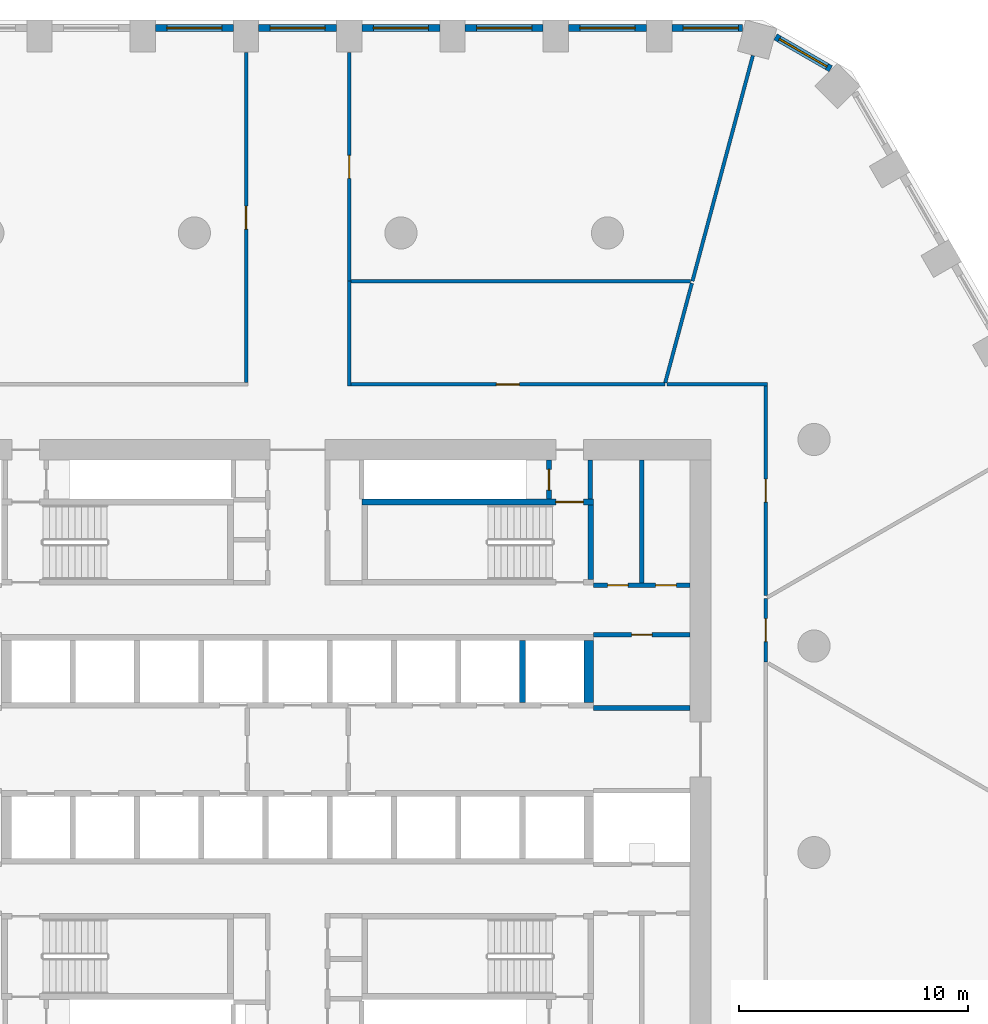
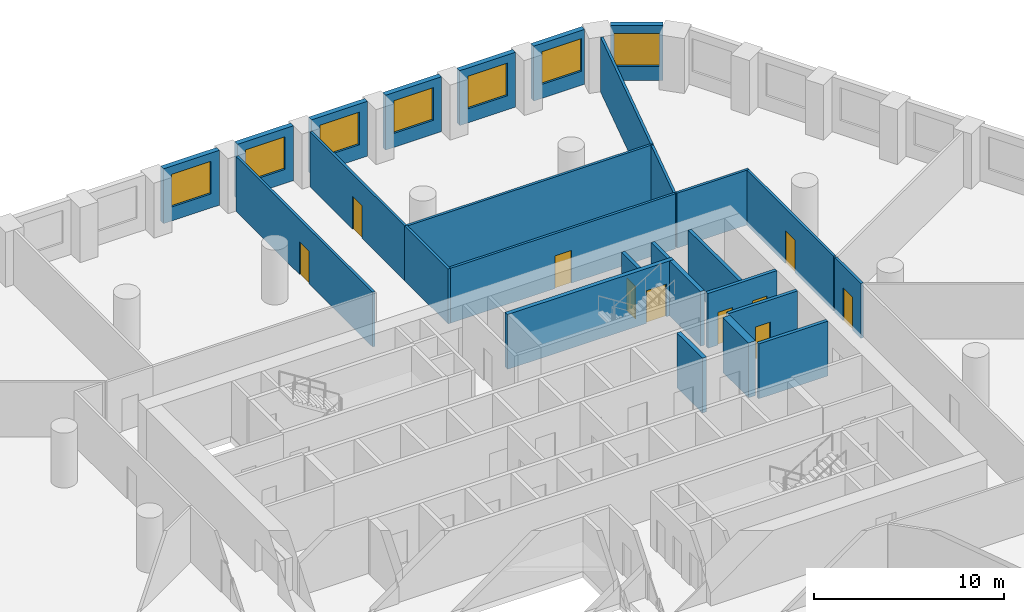
# One storey, part 7 of 10: 27 walls, 10 doors, 7 windows, 17 openings.
"""IFC4 building model written with IfcOpenShell, lengths in metres."""

from ifc_helpers import new_model, si_unit, direction, frame, frame_2d, origin, place, context, subcontext, project, spatial, polyline, rectangle, outline, extrude, material, layer, layer_set, type_object, element, fill, save


model = new_model("IFC4")

# Units and contexts
model_context = context("Model", 3, precision=1e-05, world=origin(), true_north=direction((0.0, 1.0)))
body_context = subcontext(model_context, "Body", "Model", "MODEL_VIEW")
ifc_project = project(units=[si_unit("LENGTHUNIT", "METRE"), si_unit("AREAUNIT", "SQUARE_METRE"), si_unit("VOLUMEUNIT", "CUBIC_METRE"), si_unit("PLANEANGLEUNIT", "RADIAN"), si_unit("MASSUNIT", "GRAM", prefix="KILO")], contexts=[model_context])

# Site, building, storey
site_placement = place(None, origin())
site = spatial("IfcSite", under=ifc_project, at=site_placement, CompositionType="ELEMENT")
building_placement = place(site_placement, origin())
building = spatial("IfcBuilding", under=site, at=building_placement, Name="Dhurran Vertical Campus", CompositionType="ELEMENT")
storey_placement = place(building_placement, frame((0.0, 0.0, 45.60009765625)))
storey = spatial("IfcBuildingStorey", under=building, at=storey_placement, Name="L10", CompositionType="ELEMENT", Elevation=45.60009765625)

# Wall, opening, window
ifc_material_1 = material(Name="Precast concrete C50/60", Category="concrete")
ifc_layer_1 = layer(ifc_material_1, 0.300048828125)
ifc_layer_set_1 = layer_set([ifc_layer_1], Name="Precast concrete C50/60")
wall_type_1 = type_object("IfcWallType", Name="Precast spandrel wall 300", PredefinedType="SOLIDWALL", material=ifc_layer_set_1)
wall_1_placement = place(storey_placement, frame((23.228271484375, 29.656005859375, 0.0), z_axis=(0.0, 0.0, 1.0), x_axis=(-0.866020456713, 0.500008568482, 0.0)))
wall_1 = element("IfcWall", 1, at=wall_1_placement, inside=storey, type_object=wall_type_1, Name="EW1 L10.25", PredefinedType="SOLIDWALL", context=body_context, shape_type="SweptSolid", body=[
    extrude(rectangle(XDim=2.7822265625, YDim=0.300048828125, at=frame_2d((1.39111328125, 0.0))), origin(), (0.0, 0.0, 1.0), 3.52490234375),
])
opening_1_placement = place(wall_1_placement, frame((0.191162109375, 0.0, 0.89990234375)))
opening_1 = element("IfcOpeningElement", 2, at=opening_1_placement, cuts=wall_1, Name="Opening WT1", PredefinedType="OPENING", context=body_context, shape_type="SweptSolid", body=[
    extrude(rectangle(XDim=2.39990234375, YDim=2.10009765625, at=frame_2d((1.199951171875, 1.050048828125))), frame((0.0, 0.159912109375, 0.0), z_axis=(0.0, -1.0, 0.0), x_axis=(1.0, 0.0, 0.0)), (0.0, 0.0, 1.0), 0.320068359375),
])
ifc_material_2 = material(Name="Aluminium frame with solar-control glass", Category="aluminium")
window_type = type_object("IfcWindowType", Name="Punched window 2400 x 2100", PartitioningType="SINGLE_PANEL", PredefinedType="WINDOW", material=ifc_material_2)
window_1_placement = place(opening_1_placement, origin())
window_1 = element("IfcWindow", 3, at=window_1_placement, inside=storey, type_object=window_type, Name="WT1 L10.25", OverallHeight=2.10009765625, OverallWidth=2.39990234375, PartitioningType="SINGLE_PANEL", PredefinedType="WINDOW", context=body_context, shape_type="SweptSolid", body=[
    extrude(rectangle(XDim=2.39990234375, YDim=2.10009765625, at=frame_2d((1.199951171875, 1.050048828125))), frame((0.0, 0.030029296875, 0.0), z_axis=(0.0, -1.0, 0.0), x_axis=(1.0, 0.0, 0.0)), (0.0, 0.0, 1.0), 0.06005859375),
])
fill(opening_1, window_1)

wall_2_placement = place(storey_placement, frame((19.39111328125, 31.4296875, 0.0), z_axis=(0.0, 0.0, 1.0), x_axis=(-1.0, 0.0, 0.0)))
wall_2 = element("IfcWall", 4, at=wall_2_placement, inside=storey, type_object=wall_type_1, Name="EW1 L10.26", PredefinedType="SOLIDWALL", context=body_context, shape_type="SweptSolid", body=[
    extrude(rectangle(XDim=3.090576171875, YDim=0.300048828125, at=frame_2d((1.54541015625, 0.0))), origin(), (0.0, 0.0, 1.0), 3.52490234375),
])
opening_2_placement = place(wall_2_placement, frame((0.191162109375, 0.0, 0.89990234375)))
opening_2 = element("IfcOpeningElement", 5, at=opening_2_placement, cuts=wall_2, Name="Opening WT1", PredefinedType="OPENING", context=body_context, shape_type="SweptSolid", body=[
    extrude(rectangle(XDim=2.39990234375, YDim=2.10009765625, at=frame_2d((1.199951171875, 1.050048828125))), frame((0.0, 0.159912109375, 0.0), z_axis=(0.0, -1.0, 0.0), x_axis=(1.0, 0.0, 0.0)), (0.0, 0.0, 1.0), 0.320068359375),
])
window_2_placement = place(opening_2_placement, origin())
window_2 = element("IfcWindow", 6, at=window_2_placement, inside=storey, type_object=window_type, Name="WT1 L10.26", OverallHeight=2.10009765625, OverallWidth=2.39990234375, PartitioningType="SINGLE_PANEL", PredefinedType="WINDOW", context=body_context, shape_type="SweptSolid", body=[
    extrude(rectangle(XDim=2.39990234375, YDim=2.10009765625, at=frame_2d((1.199951171875, 1.050048828125))), frame((0.0, 0.030029296875, 0.0), z_axis=(0.0, -1.0, 0.0), x_axis=(1.0, 0.0, 0.0)), (0.0, 0.0, 1.0), 0.06005859375),
])
fill(opening_2, window_2)

wall_3_placement = place(storey_placement, frame((15.199462890625, 31.4296875, 0.0), z_axis=(0.0, 0.0, 1.0), x_axis=(-1.0, 0.0, 0.0)))
wall_3 = element("IfcWall", 7, at=wall_3_placement, inside=storey, type_object=wall_type_1, Name="EW1 L10.27", PredefinedType="SOLIDWALL", context=body_context, shape_type="SweptSolid", body=[
    extrude(rectangle(XDim=3.39892578125, YDim=0.300048828125, at=frame_2d((1.699462890625, 0.0))), origin(), (0.0, 0.0, 1.0), 3.52490234375),
])
opening_3_placement = place(wall_3_placement, frame((0.49951171875, 0.0, 0.89990234375)))
opening_3 = element("IfcOpeningElement", 8, at=opening_3_placement, cuts=wall_3, Name="Opening WT1", PredefinedType="OPENING", context=body_context, shape_type="SweptSolid", body=[
    extrude(rectangle(XDim=2.39990234375, YDim=2.10009765625, at=frame_2d((1.199951171875, 1.050048828125))), frame((0.0, 0.159912109375, 0.0), z_axis=(0.0, -1.0, 0.0), x_axis=(1.0, 0.0, 0.0)), (0.0, 0.0, 1.0), 0.320068359375),
])
window_3_placement = place(opening_3_placement, origin())
window_3 = element("IfcWindow", 9, at=window_3_placement, inside=storey, type_object=window_type, Name="WT1 L10.27", OverallHeight=2.10009765625, OverallWidth=2.39990234375, PartitioningType="SINGLE_PANEL", PredefinedType="WINDOW", context=body_context, shape_type="SweptSolid", body=[
    extrude(rectangle(XDim=2.39990234375, YDim=2.10009765625, at=frame_2d((1.199951171875, 1.050048828125))), frame((0.0, 0.030029296875, 0.0), z_axis=(0.0, -1.0, 0.0), x_axis=(1.0, 0.0, 0.0)), (0.0, 0.0, 1.0), 0.06005859375),
])
fill(opening_3, window_3)

wall_4_placement = place(storey_placement, frame((10.699462890625, 31.4296875, 0.0), z_axis=(0.0, 0.0, 1.0), x_axis=(-1.0, 0.0, 0.0)))
wall_4 = element("IfcWall", 10, at=wall_4_placement, inside=storey, type_object=wall_type_1, Name="EW1 L10.28", PredefinedType="SOLIDWALL", context=body_context, shape_type="SweptSolid", body=[
    extrude(rectangle(XDim=3.39892578125, YDim=0.300048828125, at=frame_2d((1.699462890625, 0.0))), origin(), (0.0, 0.0, 1.0), 3.52490234375),
])
opening_4_placement = place(wall_4_placement, frame((0.49951171875, 0.0, 0.89990234375)))
opening_4 = element("IfcOpeningElement", 11, at=opening_4_placement, cuts=wall_4, Name="Opening WT1", PredefinedType="OPENING", context=body_context, shape_type="SweptSolid", body=[
    extrude(rectangle(XDim=2.39990234375, YDim=2.10009765625, at=frame_2d((1.199951171875, 1.050048828125))), frame((0.0, 0.159912109375, 0.0), z_axis=(0.0, -1.0, 0.0), x_axis=(1.0, 0.0, 0.0)), (0.0, 0.0, 1.0), 0.320068359375),
])
window_4_placement = place(opening_4_placement, origin())
window_4 = element("IfcWindow", 12, at=window_4_placement, inside=storey, type_object=window_type, Name="WT1 L10.28", OverallHeight=2.10009765625, OverallWidth=2.39990234375, PartitioningType="SINGLE_PANEL", PredefinedType="WINDOW", context=body_context, shape_type="SweptSolid", body=[
    extrude(rectangle(XDim=2.39990234375, YDim=2.10009765625, at=frame_2d((1.199951171875, 1.050048828125))), frame((0.0, 0.030029296875, 0.0), z_axis=(0.0, -1.0, 0.0), x_axis=(1.0, 0.0, 0.0)), (0.0, 0.0, 1.0), 0.06005859375),
])
fill(opening_4, window_4)

wall_5_placement = place(storey_placement, frame((6.199462890625, 31.4296875, 0.0), z_axis=(0.0, 0.0, 1.0), x_axis=(-1.0, 0.0, 0.0)))
wall_5 = element("IfcWall", 13, at=wall_5_placement, inside=storey, type_object=wall_type_1, Name="EW1 L10.29", PredefinedType="SOLIDWALL", context=body_context, shape_type="SweptSolid", body=[
    extrude(rectangle(XDim=3.39892578125, YDim=0.300048828125, at=frame_2d((1.699462890625, 0.0))), origin(), (0.0, 0.0, 1.0), 3.52490234375),
])
opening_5_placement = place(wall_5_placement, frame((0.49951171875, 0.0, 0.89990234375)))
opening_5 = element("IfcOpeningElement", 14, at=opening_5_placement, cuts=wall_5, Name="Opening WT1", PredefinedType="OPENING", context=body_context, shape_type="SweptSolid", body=[
    extrude(rectangle(XDim=2.39990234375, YDim=2.10009765625, at=frame_2d((1.199951171875, 1.050048828125))), frame((0.0, 0.159912109375, 0.0), z_axis=(0.0, -1.0, 0.0), x_axis=(1.0, 0.0, 0.0)), (0.0, 0.0, 1.0), 0.320068359375),
])
window_5_placement = place(opening_5_placement, origin())
window_5 = element("IfcWindow", 15, at=window_5_placement, inside=storey, type_object=window_type, Name="WT1 L10.29", OverallHeight=2.10009765625, OverallWidth=2.39990234375, PartitioningType="SINGLE_PANEL", PredefinedType="WINDOW", context=body_context, shape_type="SweptSolid", body=[
    extrude(rectangle(XDim=2.39990234375, YDim=2.10009765625, at=frame_2d((1.199951171875, 1.050048828125))), frame((0.0, 0.030029296875, 0.0), z_axis=(0.0, -1.0, 0.0), x_axis=(1.0, 0.0, 0.0)), (0.0, 0.0, 1.0), 0.06005859375),
])
fill(opening_5, window_5)

wall_6_placement = place(storey_placement, frame((1.699462890625, 31.4296875, 0.0), z_axis=(0.0, 0.0, 1.0), x_axis=(-1.0, 0.0, 0.0)))
wall_6 = element("IfcWall", 16, at=wall_6_placement, inside=storey, type_object=wall_type_1, Name="EW1 L10.30", PredefinedType="SOLIDWALL", context=body_context, shape_type="SweptSolid", body=[
    extrude(rectangle(XDim=3.39892578125, YDim=0.300048828125, at=frame_2d((1.699462890625, 0.0))), origin(), (0.0, 0.0, 1.0), 3.52490234375),
])
opening_6_placement = place(wall_6_placement, frame((0.49951171875, 0.0, 0.89990234375)))
opening_6 = element("IfcOpeningElement", 17, at=opening_6_placement, cuts=wall_6, Name="Opening WT1", PredefinedType="OPENING", context=body_context, shape_type="SweptSolid", body=[
    extrude(rectangle(XDim=2.39990234375, YDim=2.10009765625, at=frame_2d((1.199951171875, 1.050048828125))), frame((0.0, 0.159912109375, 0.0), z_axis=(0.0, -1.0, 0.0), x_axis=(1.0, 0.0, 0.0)), (0.0, 0.0, 1.0), 0.320068359375),
])
window_6_placement = place(opening_6_placement, origin())
window_6 = element("IfcWindow", 18, at=window_6_placement, inside=storey, type_object=window_type, Name="WT1 L10.30", OverallHeight=2.10009765625, OverallWidth=2.39990234375, PartitioningType="SINGLE_PANEL", PredefinedType="WINDOW", context=body_context, shape_type="SweptSolid", body=[
    extrude(rectangle(XDim=2.39990234375, YDim=2.10009765625, at=frame_2d((1.199951171875, 1.050048828125))), frame((0.0, 0.030029296875, 0.0), z_axis=(0.0, -1.0, 0.0), x_axis=(1.0, 0.0, 0.0)), (0.0, 0.0, 1.0), 0.06005859375),
])
fill(opening_6, window_6)

wall_7_placement = place(storey_placement, frame((-2.800537109375, 31.4296875, 0.0), z_axis=(0.0, 0.0, 1.0), x_axis=(-1.0, 0.0, 0.0)))
wall_7 = element("IfcWall", 19, at=wall_7_placement, inside=storey, type_object=wall_type_1, Name="EW1 L10.31", PredefinedType="SOLIDWALL", context=body_context, shape_type="SweptSolid", body=[
    extrude(rectangle(XDim=3.39892578125, YDim=0.300048828125, at=frame_2d((1.699462890625, 0.0))), origin(), (0.0, 0.0, 1.0), 3.52490234375),
])
opening_7_placement = place(wall_7_placement, frame((0.49951171875, 0.0, 0.89990234375)))
opening_7 = element("IfcOpeningElement", 20, at=opening_7_placement, cuts=wall_7, Name="Opening WT1", PredefinedType="OPENING", context=body_context, shape_type="SweptSolid", body=[
    extrude(rectangle(XDim=2.39990234375, YDim=2.10009765625, at=frame_2d((1.199951171875, 1.050048828125))), frame((0.0, 0.159912109375, 0.0), z_axis=(0.0, -1.0, 0.0), x_axis=(1.0, 0.0, 0.0)), (0.0, 0.0, 1.0), 0.320068359375),
])
window_7_placement = place(opening_7_placement, origin())
window_7 = element("IfcWindow", 21, at=window_7_placement, inside=storey, type_object=window_type, Name="WT1 L10.31", OverallHeight=2.10009765625, OverallWidth=2.39990234375, PartitioningType="SINGLE_PANEL", PredefinedType="WINDOW", context=body_context, shape_type="SweptSolid", body=[
    extrude(rectangle(XDim=2.39990234375, YDim=2.10009765625, at=frame_2d((1.199951171875, 1.050048828125))), frame((0.0, 0.030029296875, 0.0), z_axis=(0.0, -1.0, 0.0), x_axis=(1.0, 0.0, 0.0)), (0.0, 0.0, 1.0), 0.06005859375),
])
fill(opening_7, window_7)

# Wall
ifc_material_3 = material(Name="Fire-rated masonry blockwork", Category="masonry")
ifc_layer_2 = layer(ifc_material_3, 0.199951171875)
ifc_layer_set_2 = layer_set([ifc_layer_2], Name="Fire-rated masonry blockwork")
wall_type_2 = type_object("IfcWallType", Name="co-FIRE-PARTITION-200", PredefinedType="PARTITIONING", material=ifc_layer_set_2)
wall_8_placement = place(storey_placement, frame((12.75, 10.89990234375, 0.0), z_axis=(0.0, 0.0, 1.0), x_axis=(0.0, 1.0, 0.0)))
element("IfcWall", 22, at=wall_8_placement, inside=storey, type_object=wall_type_2, Name="Core partition pass-ST2-o L10", PredefinedType="PARTITIONING", context=body_context, shape_type="SweptSolid", body=[
    extrude(rectangle(XDim=1.7001953125, YDim=0.199951171875, at=frame_2d((0.85009765625, 0.0))), origin(), (0.0, 0.0, 1.0), 3.52490234375),
])

# Wall, opening, door
wall_9_placement = place(storey_placement, frame((10.949951171875, 10.89990234375, 0.0), z_axis=(0.0, 0.0, 1.0), x_axis=(0.0, 1.0, 0.0)))
wall_9 = element("IfcWall", 23, at=wall_9_placement, inside=storey, type_object=wall_type_2, Name="Core partition pass-ST2-i L10", PredefinedType="PARTITIONING", context=body_context, shape_type="SweptSolid", body=[
    extrude(rectangle(XDim=1.7001953125, YDim=0.199951171875, at=frame_2d((0.85009765625, 0.0))), origin(), (0.0, 0.0, 1.0), 3.52490234375),
])
opening_8_placement = place(wall_9_placement, frame((0.39990234375, 0.0, 0.0)))
opening_8 = element("IfcOpeningElement", 24, at=opening_8_placement, cuts=wall_9, Name="Opening T02-C11", PredefinedType="OPENING", context=body_context, shape_type="SweptSolid", body=[
    extrude(rectangle(XDim=0.89990234375, YDim=2.10009765625, at=frame_2d((0.449951171875, 1.050048828125))), frame((0.0, 0.10986328125, 0.0), z_axis=(0.0, -1.0, 0.0), x_axis=(1.0, 0.0, 0.0)), (0.0, 0.0, 1.0), 0.219970703125),
])
ifc_material_4 = material(Name="Fire-rated timber door set", Category="wood")
door_type_1 = type_object("IfcDoorType", Name="co-D-ROOM 900x2100", OperationType="SINGLE_SWING_LEFT", PredefinedType="DOOR", material=ifc_material_4)
door_1_placement = place(opening_8_placement, origin())
door_1 = element("IfcDoor", 25, at=door_1_placement, inside=storey, type_object=door_type_1, Name="Riser room door L10", OperationType="SINGLE_SWING_LEFT", OverallHeight=2.10009765625, OverallWidth=0.89990234375, PredefinedType="DOOR", context=body_context, shape_type="SweptSolid", body=[
    extrude(rectangle(XDim=0.89990234375, YDim=2.10009765625, at=frame_2d((0.449951171875, 1.050048828125))), frame((0.0, 0.02490234375, 0.0), z_axis=(0.0, -1.0, 0.0), x_axis=(1.0, 0.0, 0.0)), (0.0, 0.0, 1.0), 0.050048828125),
])
fill(opening_8, door_1)

# Wall
wall_10_placement = place(storey_placement, frame((15.0, 7.14990234375, 0.0), z_axis=(0.0, 0.0, 1.0), x_axis=(0.0, 1.0, 0.0)))
element("IfcWall", 26, at=wall_10_placement, inside=storey, type_object=wall_type_2, Name="Core partition en-NE-cut0 L10", PredefinedType="PARTITIONING", context=body_context, shape_type="SweptSolid", body=[
    extrude(rectangle(XDim=5.4501953125, YDim=0.199951171875, at=frame_2d((2.72509765625, 0.0))), origin(), (0.0, 0.0, 1.0), 3.52490234375),
])

# Wall, openings, doors
wall_11_placement = place(storey_placement, frame((12.89990234375, 7.14990234375, 0.0), z_axis=(0.0, 0.0, 1.0), x_axis=(1.0, 0.0, 0.0)))
wall_11 = element("IfcWall", 27, at=wall_11_placement, inside=storey, type_object=wall_type_2, Name="Core partition en-NE-w L10", PredefinedType="PARTITIONING", context=body_context, shape_type="SweptSolid", body=[
    extrude(rectangle(XDim=4.2001953125, YDim=0.199951171875, at=frame_2d((2.10009765625, 0.0))), origin(), (0.0, 0.0, 1.0), 3.52490234375),
])
opening_9_placement = place(wall_11_placement, frame((0.60009765625, 0.0, 0.0)))
opening_9 = element("IfcOpeningElement", 28, at=opening_9_placement, cuts=wall_11, Name="Opening T02-C16", PredefinedType="OPENING", context=body_context, shape_type="SweptSolid", body=[
    extrude(rectangle(XDim=0.89990234375, YDim=2.10009765625, at=frame_2d((0.449951171875, 1.050048828125))), frame((0.0, 0.10986328125, 0.0), z_axis=(0.0, -1.0, 0.0), x_axis=(1.0, 0.0, 0.0)), (0.0, 0.0, 1.0), 0.219970703125),
])
opening_10_placement = place(wall_11_placement, frame((2.699951171875, 0.0, 0.0)))
opening_10 = element("IfcOpeningElement", 29, at=opening_10_placement, cuts=wall_11, Name="Opening T02-C17", PredefinedType="OPENING", context=body_context, shape_type="SweptSolid", body=[
    extrude(rectangle(XDim=0.89990234375, YDim=2.10009765625, at=frame_2d((0.449951171875, 1.050048828125))), frame((0.0, 0.10986328125, 0.0), z_axis=(0.0, -1.0, 0.0), x_axis=(1.0, 0.0, 0.0)), (0.0, 0.0, 1.0), 0.219970703125),
])
door_2_placement = place(opening_9_placement, origin())
door_2 = element("IfcDoor", 30, at=door_2_placement, inside=storey, type_object=door_type_1, Name="Store door L10", OperationType="SINGLE_SWING_LEFT", OverallHeight=2.10009765625, OverallWidth=0.89990234375, PredefinedType="DOOR", context=body_context, shape_type="SweptSolid", body=[
    extrude(rectangle(XDim=0.89990234375, YDim=2.10009765625, at=frame_2d((0.449951171875, 1.050048828125))), frame((0.0, 0.02490234375, 0.0), z_axis=(0.0, -1.0, 0.0), x_axis=(1.0, 0.0, 0.0)), (0.0, 0.0, 1.0), 0.050048828125),
])
fill(opening_9, door_2)
door_3_placement = place(opening_10_placement, origin())
door_3 = element("IfcDoor", 31, at=door_3_placement, inside=storey, type_object=door_type_1, Name="Plant room door L10", OperationType="SINGLE_SWING_LEFT", OverallHeight=2.10009765625, OverallWidth=0.89990234375, PredefinedType="DOOR", context=body_context, shape_type="SweptSolid", body=[
    extrude(rectangle(XDim=0.89990234375, YDim=2.10009765625, at=frame_2d((0.449951171875, 1.050048828125))), frame((0.0, 0.02490234375, 0.0), z_axis=(0.0, -1.0, 0.0), x_axis=(1.0, 0.0, 0.0)), (0.0, 0.0, 1.0), 0.050048828125),
])
fill(opening_10, door_3)

# Wall, opening, door
wall_12_placement = place(storey_placement, frame((12.89990234375, 5.0, 0.0), z_axis=(0.0, 0.0, 1.0), x_axis=(1.0, 0.0, 0.0)))
wall_12 = element("IfcWall", 32, at=wall_12_placement, inside=storey, type_object=wall_type_2, Name="Core partition es-NE-w L10", PredefinedType="PARTITIONING", context=body_context, shape_type="SweptSolid", body=[
    extrude(rectangle(XDim=4.2001953125, YDim=0.199951171875, at=frame_2d((2.10009765625, 0.0))), origin(), (0.0, 0.0, 1.0), 3.52490234375),
])
opening_11_placement = place(wall_12_placement, frame((1.64990234375, 0.0, 0.0)))
opening_11 = element("IfcOpeningElement", 33, at=opening_11_placement, cuts=wall_12, Name="Opening T02-C18", PredefinedType="OPENING", context=body_context, shape_type="SweptSolid", body=[
    extrude(rectangle(XDim=0.89990234375, YDim=2.10009765625, at=frame_2d((0.449951171875, 1.050048828125))), frame((0.0, 0.10986328125, 0.0), z_axis=(0.0, -1.0, 0.0), x_axis=(1.0, 0.0, 0.0)), (0.0, 0.0, 1.0), 0.219970703125),
])
door_4_placement = place(opening_11_placement, origin())
door_4 = element("IfcDoor", 34, at=door_4_placement, inside=storey, type_object=door_type_1, Name="Cleaner's store door L10", OperationType="SINGLE_SWING_LEFT", OverallHeight=2.10009765625, OverallWidth=0.89990234375, PredefinedType="DOOR", context=body_context, shape_type="SweptSolid", body=[
    extrude(rectangle(XDim=0.89990234375, YDim=2.10009765625, at=frame_2d((0.449951171875, 1.050048828125))), frame((0.0, 0.02490234375, 0.0), z_axis=(0.0, -1.0, 0.0), x_axis=(1.0, 0.0, 0.0)), (0.0, 0.0, 1.0), 0.050048828125),
])
fill(opening_11, door_4)

# Walls
wall_13_placement = place(storey_placement, frame((12.89990234375, 1.800048828125, 0.0), z_axis=(0.0, 0.0, 1.0), x_axis=(1.0, 0.0, 0.0)))
element("IfcWall", 35, at=wall_13_placement, inside=storey, type_object=wall_type_2, Name="Core partition es-NE-l L10", PredefinedType="PARTITIONING", context=body_context, shape_type="SweptSolid", body=[
    extrude(rectangle(XDim=4.2001953125, YDim=0.199951171875, at=frame_2d((2.10009765625, 0.0))), origin(), (0.0, 0.0, 1.0), 3.52490234375),
])
ifc_material_5 = material(Name="Concrete C50/60", Category="concrete")
ifc_layer_3 = layer(ifc_material_5, 0.25)
ifc_layer_set_3 = layer_set([ifc_layer_3], Name="Concrete C50/60")
wall_type_3 = type_object("IfcWallType", Name="co-SHAFT-MASS-250", PredefinedType="SHEAR", material=ifc_layer_set_3)
wall_14_placement = place(storey_placement, origin())
element("IfcWall", 36, at=wall_14_placement, inside=storey, type_object=wall_type_3, Name="Lift shaft wall N L10 10", PredefinedType="SHEAR", context=body_context, shape_type="SweptSolid", body=[
    extrude(outline(polyline([(9.675048828125, 2.050048828125), (9.925048828125, 2.050048828125), (9.925048828125, 4.75), (9.675048828125, 4.75), (9.675048828125, 2.050048828125)])), origin(), (0.0, 0.0, 1.0), 3.52490234375),
])
wall_15_placement = place(storey_placement, origin())
element("IfcWall", 37, at=wall_15_placement, inside=storey, type_object=wall_type_3, Name="Lift shaft wall N L10 11", PredefinedType="SHEAR", context=body_context, shape_type="SweptSolid", body=[
    extrude(outline(polyline([(12.47509765625, 2.050048828125), (12.89990234375, 2.050048828125), (12.89990234375, 4.75), (12.47509765625, 4.75), (12.47509765625, 2.050048828125)])), origin(), (0.0, 0.0, 1.0), 3.52490234375),
])

# Wall, opening, door
ifc_material_6 = material(Name="Concrete C40/50", Category="concrete")
ifc_layer_4 = layer(ifc_material_6, 0.25)
ifc_layer_set_4 = layer_set([ifc_layer_4], Name="Concrete C40/50")
wall_type_4 = type_object("IfcWallType", Name="co-STAIR-WALL-250", PredefinedType="SHEAR", material=ifc_layer_set_4)
wall_16_placement = place(storey_placement, frame((2.800048828125, 10.77490234375, 0.0), z_axis=(0.0, 0.0, 1.0), x_axis=(1.0, 0.0, 0.0)))
wall_16 = element("IfcWall", 38, at=wall_16_placement, inside=storey, type_object=wall_type_4, Name="Stair ST2 enclosure wall L10", PredefinedType="SHEAR", context=body_context, shape_type="SweptSolid", body=[
    extrude(rectangle(XDim=10.099853515625, YDim=0.25, at=frame_2d((5.0498046875, 0.0))), origin(), (0.0, 0.0, 1.0), 3.52490234375),
])
opening_12_placement = place(wall_16_placement, frame((8.449951171875, 0.0, 0.0)))
opening_12 = element("IfcOpeningElement", 39, at=opening_12_placement, cuts=wall_16, Name="Opening XS2", PredefinedType="OPENING", context=body_context, shape_type="SweptSolid", body=[
    extrude(rectangle(XDim=1.199951171875, YDim=2.10009765625, at=frame_2d((0.60009765625, 1.050048828125))), frame((0.0, 0.135009765625, 0.0), z_axis=(0.0, -1.0, 0.0), x_axis=(1.0, 0.0, 0.0)), (0.0, 0.0, 1.0), 0.27001953125),
])
ifc_material_7 = material(Name="Fire-rated steel door set", Category="steel")
door_type_2 = type_object("IfcDoorType", Name="co-D-STAIR-EXIT 1200x2100", OperationType="SINGLE_SWING_RIGHT", PredefinedType="DOOR", material=ifc_material_7)
door_5_placement = place(opening_12_placement, origin())
door_5 = element("IfcDoor", 40, at=door_5_placement, inside=storey, type_object=door_type_2, Name="Stair ST2 discharge door L10", OperationType="SINGLE_SWING_RIGHT", OverallHeight=2.10009765625, OverallWidth=1.199951171875, PredefinedType="DOOR", context=body_context, shape_type="SweptSolid", body=[
    extrude(rectangle(XDim=1.199951171875, YDim=2.10009765625, at=frame_2d((0.60009765625, 1.050048828125))), frame((0.0, 0.02490234375, 0.0), z_axis=(0.0, -1.0, 0.0), x_axis=(1.0, 0.0, 0.0)), (0.0, 0.0, 1.0), 0.050048828125),
])
fill(opening_12, door_5)

# Wall
wall_17_placement = place(storey_placement, frame((12.77490234375, 7.39990234375, 0.0), z_axis=(0.0, 0.0, 1.0), x_axis=(0.0, 1.0, 0.0)))
element("IfcWall", 41, at=wall_17_placement, inside=storey, type_object=wall_type_4, Name="Stair ST2 enclosure wall L10", PredefinedType="SHEAR", context=body_context, shape_type="SweptSolid", body=[
    extrude(rectangle(XDim=3.25, YDim=0.25, at=frame_2d((1.625, 0.0))), origin(), (0.0, 0.0, 1.0), 3.52490234375),
])

# Wall, opening, door
ifc_material_8 = material(Name="Gypsum board corridor wall on steel studs", Category="steel")
ifc_layer_5 = layer(ifc_material_8, 0.14990234375)
ifc_layer_set_5 = layer_set([ifc_layer_5], Name="Gypsum board corridor wall on steel studs")
wall_type_5 = type_object("IfcWallType", Name="fl-CW-150 corridor wall", PredefinedType="PARTITIONING", material=ifc_layer_set_5)
wall_18_placement = place(storey_placement, frame((-2.25, 15.97509765625, 0.0), z_axis=(0.0, 0.0, 1.0), x_axis=(0.0, 1.0, 0.0)))
wall_18 = element("IfcWall", 42, at=wall_18_placement, inside=storey, type_object=wall_type_5, Name="Partition 10-20", PredefinedType="PARTITIONING", context=body_context, shape_type="SweptSolid", body=[
    extrude(rectangle(XDim=14.384765625, YDim=0.14990234375, at=frame_2d((7.1923828125, 0.0))), origin(), (0.0, 0.0, 1.0), 3.52490234375),
])
opening_13_placement = place(wall_18_placement, frame((6.6923828125, 0.0, 0.0)))
opening_13 = element("IfcOpeningElement", 43, at=opening_13_placement, cuts=wall_18, Name="Opening T02.06", PredefinedType="OPENING", context=body_context, shape_type="SweptSolid", body=[
    extrude(rectangle(XDim=1.0, YDim=2.10009765625, at=frame_2d((0.5, 1.050048828125))), frame((0.0, 0.0849609375, 0.0), z_axis=(0.0, -1.0, 0.0), x_axis=(1.0, 0.0, 0.0)), (0.0, 0.0, 1.0), 0.169921875),
])
ifc_material_9 = material(Name="Solid-core timber door set, fire-rated", Category="wood")
door_type_3 = type_object("IfcDoorType", Name="fl-D-1000x2100", OperationType="SINGLE_SWING_LEFT", PredefinedType="DOOR", material=ifc_material_9)
door_6_placement = place(opening_13_placement, origin())
door_6 = element("IfcDoor", 44, at=door_6_placement, inside=storey, type_object=door_type_3, Name="Door 10.06", OperationType="SINGLE_SWING_RIGHT", OverallHeight=2.10009765625, OverallWidth=1.0, PredefinedType="DOOR", context=body_context, shape_type="SweptSolid", body=[
    extrude(rectangle(XDim=1.0, YDim=2.10009765625, at=frame_2d((0.5, 1.050048828125))), frame((0.0, 0.02490234375, 0.0), z_axis=(0.0, -1.0, 0.0), x_axis=(1.0, 0.0, 0.0)), (0.0, 0.0, 1.0), 0.050048828125),
])
fill(opening_13, door_6)

# Wall
wall_19_placement = place(storey_placement, frame((2.25, 20.39990234375, 0.0), z_axis=(0.0, 0.0, 1.0), x_axis=(0.0, -1.0, 0.0)))
element("IfcWall", 45, at=wall_19_placement, inside=storey, type_object=wall_type_5, Name="Partition 10-27", PredefinedType="PARTITIONING", context=body_context, shape_type="SweptSolid", body=[
    extrude(rectangle(XDim=4.574951171875, YDim=0.14990234375, at=frame_2d((2.28759765625, 0.0))), origin(), (0.0, 0.0, 1.0), 3.52490234375),
])

# Wall, opening, door
wall_20_placement = place(storey_placement, frame((15.9951171875, 15.89990234375, 0.0), z_axis=(0.0, 0.0, 1.0), x_axis=(-1.0, 0.0, 0.0)))
wall_20 = element("IfcWall", 46, at=wall_20_placement, inside=storey, type_object=wall_type_5, Name="Partition 10-28", PredefinedType="PARTITIONING", context=body_context, shape_type="SweptSolid", body=[
    extrude(rectangle(XDim=13.670166015625, YDim=0.14990234375, at=frame_2d((6.8349609375, 0.0))), origin(), (0.0, 0.0, 1.0), 3.52490234375),
])
opening_14_placement = place(wall_20_placement, frame((6.3349609375, 0.0, 0.0)))
opening_14 = element("IfcOpeningElement", 47, at=opening_14_placement, cuts=wall_20, Name="Opening T02.10", PredefinedType="OPENING", context=body_context, shape_type="SweptSolid", body=[
    extrude(rectangle(XDim=1.0, YDim=2.10009765625, at=frame_2d((0.5, 1.050048828125))), frame((0.0, 0.0849609375, 0.0), z_axis=(0.0, -1.0, 0.0), x_axis=(1.0, 0.0, 0.0)), (0.0, 0.0, 1.0), 0.169921875),
])
door_7_placement = place(opening_14_placement, origin())
door_7 = element("IfcDoor", 48, at=door_7_placement, inside=storey, type_object=door_type_3, Name="Door 10.10", OperationType="SINGLE_SWING_RIGHT", OverallHeight=2.10009765625, OverallWidth=1.0, PredefinedType="DOOR", context=body_context, shape_type="SweptSolid", body=[
    extrude(rectangle(XDim=1.0, YDim=2.10009765625, at=frame_2d((0.5, 1.050048828125))), frame((0.0, 0.02490234375, 0.0), z_axis=(0.0, -1.0, 0.0), x_axis=(1.0, 0.0, 0.0)), (0.0, 0.0, 1.0), 0.050048828125),
])
fill(opening_14, door_7)

wall_21_placement = place(storey_placement, frame((2.25, 30.35986328125, 0.0), z_axis=(0.0, 0.0, 1.0), x_axis=(0.0, -1.0, 0.0)))
wall_21 = element("IfcWall", 49, at=wall_21_placement, inside=storey, type_object=wall_type_5, Name="Partition 10-29", PredefinedType="PARTITIONING", context=body_context, shape_type="SweptSolid", body=[
    extrude(rectangle(XDim=9.9599609375, YDim=0.14990234375, at=frame_2d((4.97998046875, 0.0))), origin(), (0.0, 0.0, 1.0), 3.52490234375),
])
opening_15_placement = place(wall_21_placement, frame((4.47998046875, 0.0, 0.0)))
opening_15 = element("IfcOpeningElement", 50, at=opening_15_placement, cuts=wall_21, Name="Opening T02.11", PredefinedType="OPENING", context=body_context, shape_type="SweptSolid", body=[
    extrude(rectangle(XDim=1.0, YDim=2.10009765625, at=frame_2d((0.5, 1.050048828125))), frame((0.0, 0.0849609375, 0.0), z_axis=(0.0, -1.0, 0.0), x_axis=(1.0, 0.0, 0.0)), (0.0, 0.0, 1.0), 0.169921875),
])
door_8_placement = place(opening_15_placement, origin())
door_8 = element("IfcDoor", 51, at=door_8_placement, inside=storey, type_object=door_type_3, Name="Door 10.11", OperationType="SINGLE_SWING_RIGHT", OverallHeight=2.10009765625, OverallWidth=1.0, PredefinedType="DOOR", context=body_context, shape_type="SweptSolid", body=[
    extrude(rectangle(XDim=1.0, YDim=2.10009765625, at=frame_2d((0.5, 1.050048828125))), frame((0.0, 0.02490234375, 0.0), z_axis=(0.0, -1.0, 0.0), x_axis=(1.0, 0.0, 0.0)), (0.0, 0.0, 1.0), 0.050048828125),
])
fill(opening_15, door_8)

# Wall
wall_22_placement = place(storey_placement, frame((20.47509765625, 15.89990234375, 0.0), z_axis=(0.0, 0.0, 1.0), x_axis=(-1.0, 0.0, 0.0)))
element("IfcWall", 52, at=wall_22_placement, inside=storey, type_object=wall_type_5, Name="Partition 10-37", PredefinedType="PARTITIONING", context=body_context, shape_type="SweptSolid", body=[
    extrude(rectangle(XDim=4.385009765625, YDim=0.14990234375, at=frame_2d((2.1923828125, 0.0))), origin(), (0.0, 0.0, 1.0), 3.52490234375),
])

# Wall, opening, door
wall_23_placement = place(storey_placement, frame((20.39990234375, 3.81103515625, 0.0), z_axis=(0.0, 0.0, 1.0), x_axis=(0.0, 1.0, 0.0)))
wall_23 = element("IfcWall", 53, at=wall_23_placement, inside=storey, type_object=wall_type_5, Name="Partition 10-40", PredefinedType="PARTITIONING", context=body_context, shape_type="SweptSolid", body=[
    extrude(rectangle(XDim=2.77099609375, YDim=0.14990234375, at=frame_2d((1.385498046875, 0.0))), origin(), (0.0, 0.0, 1.0), 3.52490234375),
])
opening_16_placement = place(wall_23_placement, frame((0.885498046875, 0.0, 0.0)))
opening_16 = element("IfcOpeningElement", 54, at=opening_16_placement, cuts=wall_23, Name="Opening T02.15", PredefinedType="OPENING", context=body_context, shape_type="SweptSolid", body=[
    extrude(rectangle(XDim=1.0, YDim=2.10009765625, at=frame_2d((0.5, 1.050048828125))), frame((0.0, 0.0849609375, 0.0), z_axis=(0.0, -1.0, 0.0), x_axis=(1.0, 0.0, 0.0)), (0.0, 0.0, 1.0), 0.169921875),
])
door_9_placement = place(opening_16_placement, origin())
door_9 = element("IfcDoor", 55, at=door_9_placement, inside=storey, type_object=door_type_3, Name="Door 10.15", OperationType="SINGLE_SWING_RIGHT", OverallHeight=2.10009765625, OverallWidth=1.0, PredefinedType="DOOR", context=body_context, shape_type="SweptSolid", body=[
    extrude(rectangle(XDim=1.0, YDim=2.10009765625, at=frame_2d((0.5, 1.050048828125))), frame((0.0, 0.02490234375, 0.0), z_axis=(0.0, -1.0, 0.0), x_axis=(1.0, 0.0, 0.0)), (0.0, 0.0, 1.0), 0.050048828125),
])
fill(opening_16, door_9)

wall_24_placement = place(storey_placement, frame((20.39990234375, 6.7119140625, 0.0), z_axis=(0.0, 0.0, 1.0), x_axis=(0.0, 1.0, 0.0)))
wall_24 = element("IfcWall", 56, at=wall_24_placement, inside=storey, type_object=wall_type_5, Name="Partition 10-42", PredefinedType="PARTITIONING", context=body_context, shape_type="SweptSolid", body=[
    extrude(rectangle(XDim=9.113037109375, YDim=0.14990234375, at=frame_2d((4.556640625, 0.0))), origin(), (0.0, 0.0, 1.0), 3.52490234375),
])
opening_17_placement = place(wall_24_placement, frame((4.056396484375, 0.0, 0.0)))
opening_17 = element("IfcOpeningElement", 57, at=opening_17_placement, cuts=wall_24, Name="Opening T02.13", PredefinedType="OPENING", context=body_context, shape_type="SweptSolid", body=[
    extrude(rectangle(XDim=1.0, YDim=2.10009765625, at=frame_2d((0.5, 1.050048828125))), frame((0.0, 0.0849609375, 0.0), z_axis=(0.0, -1.0, 0.0), x_axis=(1.0, 0.0, 0.0)), (0.0, 0.0, 1.0), 0.169921875),
])
door_10_placement = place(opening_17_placement, origin())
door_10 = element("IfcDoor", 58, at=door_10_placement, inside=storey, type_object=door_type_3, Name="Door 10.13", OperationType="SINGLE_SWING_RIGHT", OverallHeight=2.10009765625, OverallWidth=1.0, PredefinedType="DOOR", context=body_context, shape_type="SweptSolid", body=[
    extrude(rectangle(XDim=1.0, YDim=2.10009765625, at=frame_2d((0.5, 1.050048828125))), frame((0.0, 0.02490234375, 0.0), z_axis=(0.0, -1.0, 0.0), x_axis=(1.0, 0.0, 0.0)), (0.0, 0.0, 1.0), 0.050048828125),
])
fill(opening_17, door_10)

# Walls
ifc_material_10 = material(Name="Gypsum board partition on steel studs", Category="steel")
ifc_layer_6 = layer(ifc_material_10, 0.14990234375)
ifc_layer_set_6 = layer_set([ifc_layer_6], Name="Gypsum board partition on steel studs")
wall_type_6 = type_object("IfcWallType", Name="fl-PW-150 fixed partition", PredefinedType="PARTITIONING", material=ifc_layer_set_6)
wall_25_placement = place(storey_placement, frame((2.324951171875, 20.39990234375, 0.0), z_axis=(0.0, 0.0, 1.0), x_axis=(1.0, 0.0, 0.0)))
element("IfcWall", 59, at=wall_25_placement, inside=storey, type_object=wall_type_6, Name="Partition 10-30", PredefinedType="PARTITIONING", context=body_context, shape_type="SweptSolid", body=[
    extrude(rectangle(XDim=14.801025390625, YDim=0.14990234375, at=frame_2d((7.400390625, 0.0))), origin(), (0.0, 0.0, 1.0), 3.52490234375),
])
wall_26_placement = place(storey_placement, frame((17.176513671875, 20.30810546875, 0.0), z_axis=(0.0, 0.0, 1.0), x_axis=(-0.258894670978, -0.965905559224, 0.0)))
element("IfcWall", 60, at=wall_26_placement, inside=storey, type_object=wall_type_6, Name="Partition 10-36", PredefinedType="PARTITIONING", context=body_context, shape_type="SweptSolid", body=[
    extrude(rectangle(XDim=4.48876953125, YDim=0.14990234375, at=frame_2d((2.244384765625, 0.0))), origin(), (0.0, 0.0, 1.0), 3.52490234375),
])
wall_27_placement = place(storey_placement, frame((19.834228515625, 30.22705078125, 0.0), z_axis=(0.0, 0.0, 1.0), x_axis=(-0.258830443669, -0.96592277198, 0.0)))
element("IfcWall", 61, at=wall_27_placement, inside=storey, type_object=wall_type_6, Name="Partition 10-38", PredefinedType="PARTITIONING", context=body_context, shape_type="SweptSolid", body=[
    extrude(rectangle(XDim=10.173828125, YDim=0.14990234375, at=frame_2d((5.0869140625, 0.0))), origin(), (0.0, 0.0, 1.0), 3.52490234375),
])

save(model, "model.ifc")
